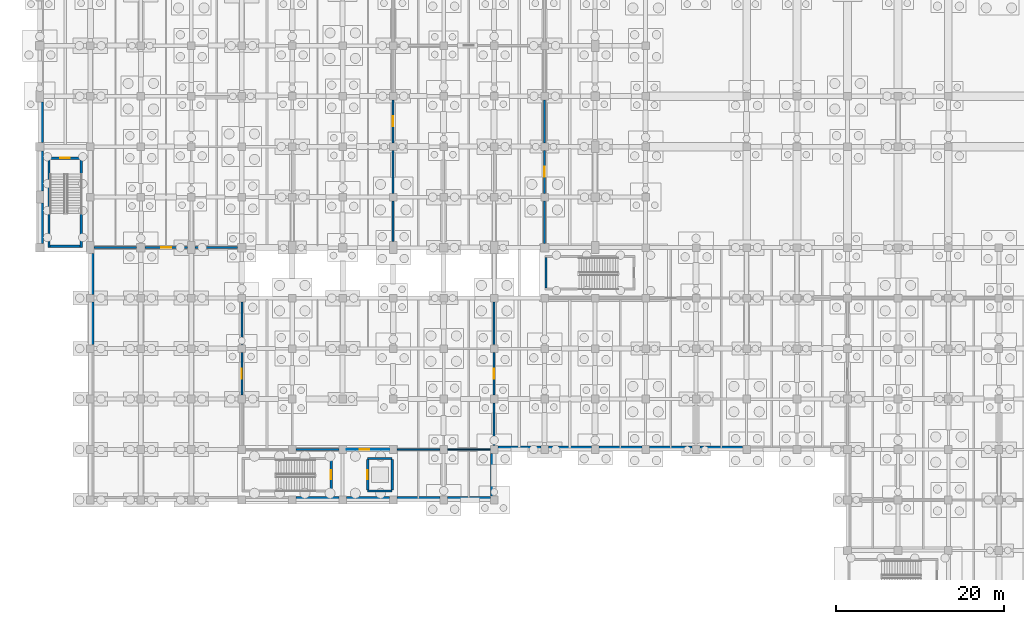
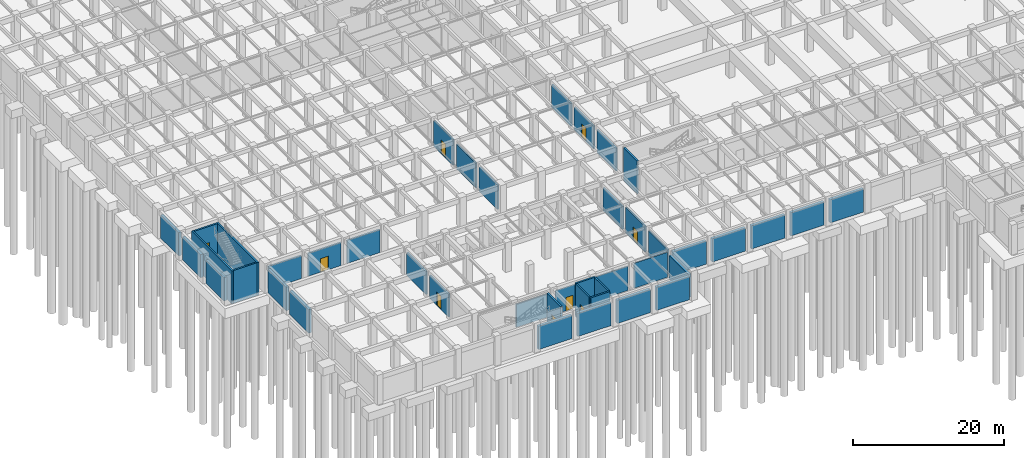
# One storey, part 38 of 54: 43 walls, 9 doors, 9 openings.
"""IFC4 building model written with IfcOpenShell, lengths in metres."""

from ifc_helpers import new_model, si_unit, direction, frame, frame_2d, origin, place, context, subcontext, project, spatial, rectangle, extrude, material, layer, layer_set, type_object, element, fill, save


model = new_model("IFC4")

# Units and contexts
model_context = context("Model", 3, precision=1e-05, world=origin(), true_north=direction((0.0, 1.0)))
body_context = subcontext(model_context, "Body", "Model", "MODEL_VIEW")
ifc_project = project(units=[si_unit("LENGTHUNIT", "METRE"), si_unit("AREAUNIT", "SQUARE_METRE"), si_unit("VOLUMEUNIT", "CUBIC_METRE"), si_unit("PLANEANGLEUNIT", "RADIAN"), si_unit("MASSUNIT", "GRAM", prefix="KILO"), si_unit("THERMODYNAMICTEMPERATUREUNIT", "KELVIN"), si_unit("POWERUNIT", "WATT")], contexts=[model_context])

# Site, building, storey
site_placement = place(None, origin())
site = spatial("IfcSite", under=ifc_project, at=site_placement, CompositionType="ELEMENT")
building_placement = place(site_placement, origin())
building = spatial("IfcBuilding", under=site, at=building_placement, Name="Phaisarnlok Congress Hotel", CompositionType="ELEMENT")
storey_placement = place(building_placement, frame((0.0, 0.0, -4.800048828125)))
storey = spatial("IfcBuildingStorey", under=building, at=storey_placement, Name="B01", CompositionType="ELEMENT", Elevation=-4.800048828125)

# Walls
ifc_material_1 = material(Name="Concrete C40/50", Category="concrete")
ifc_layer_1 = layer(ifc_material_1, 0.419921875, Name="Concrete C40/50")
ifc_layer_set_1 = layer_set([ifc_layer_1], Name="Concrete C40/50")
wall_type_1 = type_object("IfcWallType", Name="WL-EXT-420", PredefinedType="SOLIDWALL", material=ifc_layer_set_1)
for number, where, z_axis, x_axis, name in (
    (1, (30.455078125, 12.2099609375, 0.0), (0.0, 0.0, 1.0), (1.0, 0.0, 0.0), "Exterior wall EW-08 (B01)"),
    (2, (36.455078125, 12.2099609375, 0.0), (0.0, 0.0, 1.0), (1.0, 0.0, 0.0), "Exterior wall EW-08 (B01)"),
    (3, (42.455078125, 12.2099609375, 0.0), (0.0, 0.0, 1.0), (1.0, 0.0, 0.0), "Exterior wall EW-08 (B01)"),
    (4, (48.455078125, 12.2099609375, 0.0), (0.0, 0.0, 1.0), (1.0, 0.0, 0.0), "Exterior wall EW-08 (B01)"),
    (5, (53.7900390625, 12.455078125, 0.0), (0.0, 0.0, 1.0), (0.0, 1.0, 0.0), "Exterior wall EW-08 (B01)"),
    (6, (54.455078125, 18.2099609375, 0.0), (0.0, 0.0, 1.0), (1.0, 0.0, 0.0), "Exterior wall EW-08 (B01)"),
    (7, (60.455078125, 18.2099609375, 0.0), (0.0, 0.0, 1.0), (1.0, 0.0, 0.0), "Exterior wall EW-08 (B01)"),
    (8, (66.455078125, 18.2099609375, 0.0), (0.0, 0.0, 1.0), (1.0, 0.0, 0.0), "Exterior wall EW-08 (B01)"),
    (9, (72.455078125, 18.2099609375, 0.0), (0.0, 0.0, 1.0), (1.0, 0.0, 0.0), "Exterior wall EW-08 (B01)"),
    (10, (78.455078125, 18.2099609375, 0.0), (0.0, 0.0, 1.0), (1.0, 0.0, 0.0), "Exterior wall EW-08 (B01)"),
):
    element("IfcWall", number, at=place(storey_placement, frame(where, z_axis=z_axis, x_axis=x_axis)), inside=storey, type_object=wall_type_1, Name=name, PredefinedType="SOLIDWALL", context=body_context, shape_type="SweptSolid", body=[
        extrude(rectangle(XDim=5.08984375, YDim=0.419921875, at=frame_2d((2.544921875, 0.0))), origin(), (0.0, 0.0, 1.0), 3.75),
    ])
for number, where, z_axis, x_axis, name in (
    (11, (0.2099609375, 59.294921875, 0.0), (0.0, 0.0, 1.0), (0.0, -1.0, 0.0), "Exterior wall EW-08 (B01)"),
    (12, (0.2099609375, 53.4951171875, 0.0), (0.0, 0.0, 1.0), (0.0, -1.0, 0.0), "Exterior wall EW-08 (B01)"),
    (13, (0.2099609375, 47.294921875, 0.0), (0.0, 0.0, 1.0), (0.0, -1.0, 0.0), "Exterior wall EW-08 (B01)"),
):
    element("IfcWall", number, at=place(storey_placement, frame(where, z_axis=z_axis, x_axis=x_axis)), inside=storey, type_object=wall_type_1, Name=name, PredefinedType="SOLIDWALL", context=body_context, shape_type="SweptSolid", body=[
        extrude(rectangle(XDim=4.7900390625, YDim=0.419921875, at=frame_2d((2.39501953125, 0.0))), origin(), (0.0, 0.0, 1.0), 3.75),
    ])
wall_1_placement = place(storey_placement, frame((6.2099609375, 41.294921875, 0.0), z_axis=(0.0, 0.0, 1.0), x_axis=(0.0, -1.0, 0.0)))
element("IfcWall", 14, at=wall_1_placement, inside=storey, type_object=wall_type_1, Name="Exterior wall EW-08 (B01)", PredefinedType="SOLIDWALL", context=body_context, shape_type="SweptSolid", body=[
    extrude(rectangle(XDim=4.83984375, YDim=0.419921875, at=frame_2d((2.419921875, 0.0))), origin(), (0.0, 0.0, 1.0), 3.800048828125),
])
wall_2_placement = place(storey_placement, frame((6.2099609375, 35.544921875, 0.0), z_axis=(0.0, 0.0, 1.0), x_axis=(0.0, -1.0, 0.0)))
element("IfcWall", 15, at=wall_2_placement, inside=storey, type_object=wall_type_1, Name="Exterior wall EW-08 (B01)", PredefinedType="SOLIDWALL", context=body_context, shape_type="SweptSolid", body=[
    extrude(rectangle(XDim=5.08984375, YDim=0.419921875, at=frame_2d((2.544921875, 0.0))), origin(), (0.0, 0.0, 1.0), 3.800048828125),
])

# Wall, opening, door
ifc_material_2 = material(Name="Service Riser Shaftwall Partition", Category="gypsum")
ifc_layer_2 = layer(ifc_material_2, 0.10498046875, Name="Service Riser Shaftwall Partition")
ifc_layer_set_2 = layer_set([ifc_layer_2], Name="Service Riser Shaftwall Partition")
wall_type_2 = type_object("IfcWallType", Name="WL-INT-105", PredefinedType="PARTITIONING", material=ifc_layer_set_2)
wall_3_placement = place(storey_placement, frame((36.455078125, 18.0, 0.0), z_axis=(0.0, 0.0, 1.0), x_axis=(1.0, 0.0, 0.0)))
wall_3 = element("IfcWall", 16, at=wall_3_placement, inside=storey, type_object=wall_type_2, Name="Interior partition wall IW-08 (B01)", PredefinedType="PARTITIONING", context=body_context, shape_type="SweptSolid", body=[
    extrude(rectangle(XDim=5.08984375, YDim=0.10498046875, at=frame_2d((2.544921875, 0.0))), origin(), (0.0, 0.0, 1.0), 3.800048828125),
])
opening_1_placement = place(wall_3_placement, frame((1.594970703125, 0.0, 0.0)))
opening_1 = element("IfcOpeningElement", 17, at=opening_1_placement, cuts=wall_3, Name="Opening D-0001", PredefinedType="OPENING", context=body_context, shape_type="SweptSolid", body=[
    extrude(rectangle(XDim=1.10009765625, YDim=2.14990234375, at=frame_2d((0.550048828125, 1.074951171875))), frame((0.0, 0.0625, 0.0), z_axis=(0.0, -1.0, 0.0), x_axis=(1.0, 0.0, 0.0)), (0.0, 0.0, 1.0), 0.125),
])
ifc_material_3 = material(Name="Fire-Rated Steel Frame & Timber Leaf", Category="steel")
door_type_1 = type_object("IfcDoorType", Name="DR-FD60-1100", OperationType="NOTDEFINED", PredefinedType="DOOR", material=ifc_material_3)
door_1_placement = place(opening_1_placement, origin())
door_1 = element("IfcDoor", 18, at=door_1_placement, inside=storey, type_object=door_type_1, Name="Interior door D-0001 (B01)", OperationType="SINGLE_SWING_RIGHT", OverallHeight=2.14990234375, OverallWidth=1.10009765625, PredefinedType="DOOR", context=body_context, shape_type="SweptSolid", body=[
    extrude(rectangle(XDim=1.10009765625, YDim=2.14990234375, at=frame_2d((0.550048828125, 1.074951171875))), frame((0.0, 0.02490234375, 0.0), z_axis=(0.0, -1.0, 0.0), x_axis=(1.0, 0.0, 0.0)), (0.0, 0.0, 1.0), 0.050048828125),
])
fill(opening_1, door_1)

# Walls
ifc_material_4 = material(Name="Double-Stud Acoustic Gypsum Partition", Category="gypsum")
ifc_layer_3 = layer(ifc_material_4, 0.159912109375, Name="Double-Stud Acoustic Gypsum Partition")
ifc_layer_set_3 = layer_set([ifc_layer_3], Name="Double-Stud Acoustic Gypsum Partition")
wall_type_3 = type_object("IfcWallType", Name="WL-INT-160", PredefinedType="PARTITIONING", material=ifc_layer_set_3)
wall_4_placement = place(storey_placement, frame((48.455078125, 18.0, 0.0), z_axis=(0.0, 0.0, 1.0), x_axis=(1.0, 0.0, 0.0)))
element("IfcWall", 19, at=wall_4_placement, inside=storey, type_object=wall_type_3, Name="Interior partition wall IW-04 (B01)", PredefinedType="PARTITIONING", context=body_context, shape_type="SweptSolid", body=[
    extrude(rectangle(XDim=5.08984375, YDim=0.159912109375, at=frame_2d((2.544921875, 0.0))), origin(), (0.0, 0.0, 1.0), 4.050048828125),
])
ifc_material_5 = material(Name="Autoclaved Aerated Concrete Block", Category="concrete")
ifc_layer_4 = layer(ifc_material_5, 0.179931640625, Name="Autoclaved Aerated Concrete Block")
ifc_layer_set_4 = layer_set([ifc_layer_4], Name="Autoclaved Aerated Concrete Block")
wall_type_4 = type_object("IfcWallType", Name="WL-INT-180", PredefinedType="PARTITIONING", material=ifc_layer_set_4)
wall_5_placement = place(storey_placement, frame((42.455078125, 18.0, 0.0), z_axis=(0.0, 0.0, 1.0), x_axis=(1.0, 0.0, 0.0)))
element("IfcWall", 20, at=wall_5_placement, inside=storey, type_object=wall_type_4, Name="Interior partition wall IW-03 (B01)", PredefinedType="PARTITIONING", context=body_context, shape_type="SweptSolid", body=[
    extrude(rectangle(XDim=5.08984375, YDim=0.179931640625, at=frame_2d((2.544921875, 0.0))), origin(), (0.0, 0.0, 1.0), 3.900146484375),
])
ifc_layer_5 = layer(ifc_material_5, 0.199951171875, Name="Autoclaved Aerated Concrete Block")
ifc_layer_set_5 = layer_set([ifc_layer_5], Name="Autoclaved Aerated Concrete Block")
wall_type_5 = type_object("IfcWallType", Name="WL-INT-200", PredefinedType="PARTITIONING", material=ifc_layer_set_5)
wall_6_placement = place(storey_placement, frame((30.455078125, 18.0, 0.0), z_axis=(0.0, 0.0, 1.0), x_axis=(1.0, 0.0, 0.0)))
element("IfcWall", 21, at=wall_6_placement, inside=storey, type_object=wall_type_5, Name="Interior partition wall IW-02 (B01)", PredefinedType="PARTITIONING", context=body_context, shape_type="SweptSolid", body=[
    extrude(rectangle(XDim=5.08984375, YDim=0.199951171875, at=frame_2d((2.544921875, 0.0))), origin(), (0.0, 0.0, 1.0), 3.699951171875),
])

# Wall, opening, door
ifc_layer_6 = layer(ifc_material_1, 0.239990234375, Name="Concrete C40/50")
ifc_layer_set_6 = layer_set([ifc_layer_6], Name="Concrete C40/50")
wall_type_6 = type_object("IfcWallType", Name="WL-INT-240", PredefinedType="PARTITIONING", material=ifc_layer_set_6)
wall_7_placement = place(storey_placement, frame((24.0, 24.455078125, 0.0), z_axis=(0.0, 0.0, 1.0), x_axis=(0.0, 1.0, 0.0)))
wall_7 = element("IfcWall", 22, at=wall_7_placement, inside=storey, type_object=wall_type_6, Name="Interior partition wall IW-01 (B01)", PredefinedType="PARTITIONING", context=body_context, shape_type="SweptSolid", body=[
    extrude(rectangle(XDim=5.08984375, YDim=0.239990234375, at=frame_2d((2.544921875, 0.0))), origin(), (0.0, 0.0, 1.0), 3.699951171875),
])
opening_2_placement = place(wall_7_placement, frame((1.945068359375, 0.0, 0.0)))
opening_2 = element("IfcOpeningElement", 23, at=opening_2_placement, cuts=wall_7, Name="Opening D-0003", PredefinedType="OPENING", context=body_context, shape_type="SweptSolid", body=[
    extrude(rectangle(XDim=1.199951171875, YDim=2.199951171875, at=frame_2d((0.60009765625, 1.10009765625))), frame((0.0, 0.1298828125, 0.0), z_axis=(0.0, -1.0, 0.0), x_axis=(1.0, 0.0, 0.0)), (0.0, 0.0, 1.0), 0.260009765625),
])
door_type_2 = type_object("IfcDoorType", Name="DR-FD60-1200", OperationType="NOTDEFINED", PredefinedType="DOOR", material=ifc_material_3)
door_2_placement = place(opening_2_placement, origin())
door_2 = element("IfcDoor", 24, at=door_2_placement, inside=storey, type_object=door_type_2, Name="Interior door D-0003 (B01)", OperationType="SINGLE_SWING_RIGHT", OverallHeight=2.199951171875, OverallWidth=1.199951171875, PredefinedType="DOOR", context=body_context, shape_type="SweptSolid", body=[
    extrude(rectangle(XDim=1.199951171875, YDim=2.199951171875, at=frame_2d((0.60009765625, 1.10009765625))), frame((0.0, 0.02490234375, 0.0), z_axis=(0.0, -1.0, 0.0), x_axis=(1.0, 0.0, 0.0)), (0.0, 0.0, 1.0), 0.050048828125),
])
fill(opening_2, door_2)

# Walls
wall_8_placement = place(storey_placement, frame((24.0, 30.455078125, 0.0), z_axis=(0.0, 0.0, 1.0), x_axis=(0.0, 1.0, 0.0)))
element("IfcWall", 25, at=wall_8_placement, inside=storey, type_object=wall_type_6, Name="Interior partition wall IW-01 (B01)", PredefinedType="PARTITIONING", context=body_context, shape_type="SweptSolid", body=[
    extrude(rectangle(XDim=5.08984375, YDim=0.239990234375, at=frame_2d((2.544921875, 0.0))), origin(), (0.0, 0.0, 1.0), 3.699951171875),
])
wall_9_placement = place(storey_placement, frame((42.0, 42.705078125, 0.0), z_axis=(0.0, 0.0, 1.0), x_axis=(0.0, 1.0, 0.0)))
element("IfcWall", 26, at=wall_9_placement, inside=storey, type_object=wall_type_6, Name="Interior partition wall IW-01 (B01)", PredefinedType="PARTITIONING", context=body_context, shape_type="SweptSolid", body=[
    extrude(rectangle(XDim=4.83984375, YDim=0.239990234375, at=frame_2d((2.419921875, 0.0))), origin(), (0.0, 0.0, 1.0), 3.949951171875),
])
wall_10_placement = place(storey_placement, frame((42.0, 48.455078125, 0.0), z_axis=(0.0, 0.0, 1.0), x_axis=(0.0, 1.0, 0.0)))
element("IfcWall", 27, at=wall_10_placement, inside=storey, type_object=wall_type_6, Name="Interior partition wall IW-01 (B01)", PredefinedType="PARTITIONING", context=body_context, shape_type="SweptSolid", body=[
    extrude(rectangle(XDim=5.08984375, YDim=0.239990234375, at=frame_2d((2.544921875, 0.0))), origin(), (0.0, 0.0, 1.0), 4.0),
])

# Wall, opening, door
wall_11_placement = place(storey_placement, frame((42.0, 54.455078125, 0.0), z_axis=(0.0, 0.0, 1.0), x_axis=(0.0, 1.0, 0.0)))
wall_11 = element("IfcWall", 28, at=wall_11_placement, inside=storey, type_object=wall_type_6, Name="Interior partition wall IW-01 (B01)", PredefinedType="PARTITIONING", context=body_context, shape_type="SweptSolid", body=[
    extrude(rectangle(XDim=5.08984375, YDim=0.239990234375, at=frame_2d((2.544921875, 0.0))), origin(), (0.0, 0.0, 1.0), 4.16015625),
])
opening_3_placement = place(wall_11_placement, frame((1.945068359375, 0.0, 0.0)))
opening_3 = element("IfcOpeningElement", 29, at=opening_3_placement, cuts=wall_11, Name="Opening D-0005", PredefinedType="OPENING", context=body_context, shape_type="SweptSolid", body=[
    extrude(rectangle(XDim=1.199951171875, YDim=2.199951171875, at=frame_2d((0.60009765625, 1.10009765625))), frame((0.0, 0.1298828125, 0.0), z_axis=(0.0, -1.0, 0.0), x_axis=(1.0, 0.0, 0.0)), (0.0, 0.0, 1.0), 0.260009765625),
])
door_3_placement = place(opening_3_placement, origin())
door_3 = element("IfcDoor", 30, at=door_3_placement, inside=storey, type_object=door_type_2, Name="Interior door D-0005 (B01)", OperationType="SINGLE_SWING_RIGHT", OverallHeight=2.199951171875, OverallWidth=1.199951171875, PredefinedType="DOOR", context=body_context, shape_type="SweptSolid", body=[
    extrude(rectangle(XDim=1.199951171875, YDim=2.199951171875, at=frame_2d((0.60009765625, 1.10009765625))), frame((0.0, 0.02490234375, 0.0), z_axis=(0.0, -1.0, 0.0), x_axis=(1.0, 0.0, 0.0)), (0.0, 0.0, 1.0), 0.050048828125),
])
fill(opening_3, door_3)

# Wall
wall_12_placement = place(storey_placement, frame((54.0, 18.455078125, 0.0), z_axis=(0.0, 0.0, 1.0), x_axis=(0.0, 1.0, 0.0)))
element("IfcWall", 31, at=wall_12_placement, inside=storey, type_object=wall_type_6, Name="Interior partition wall IW-01 (B01)", PredefinedType="PARTITIONING", context=body_context, shape_type="SweptSolid", body=[
    extrude(rectangle(XDim=5.08984375, YDim=0.239990234375, at=frame_2d((2.544921875, 0.0))), origin(), (0.0, 0.0, 1.0), 4.0),
])

# Wall, opening, door
wall_13_placement = place(storey_placement, frame((54.0, 24.455078125, 0.0), z_axis=(0.0, 0.0, 1.0), x_axis=(0.0, 1.0, 0.0)))
wall_13 = element("IfcWall", 32, at=wall_13_placement, inside=storey, type_object=wall_type_6, Name="Interior partition wall IW-01 (B01)", PredefinedType="PARTITIONING", context=body_context, shape_type="SweptSolid", body=[
    extrude(rectangle(XDim=5.08984375, YDim=0.239990234375, at=frame_2d((2.544921875, 0.0))), origin(), (0.0, 0.0, 1.0), 4.16015625),
])
opening_4_placement = place(wall_13_placement, frame((1.945068359375, 0.0, 0.0)))
opening_4 = element("IfcOpeningElement", 33, at=opening_4_placement, cuts=wall_13, Name="Opening D-0002", PredefinedType="OPENING", context=body_context, shape_type="SweptSolid", body=[
    extrude(rectangle(XDim=1.199951171875, YDim=2.199951171875, at=frame_2d((0.60009765625, 1.10009765625))), frame((0.0, 0.1298828125, 0.0), z_axis=(0.0, -1.0, 0.0), x_axis=(1.0, 0.0, 0.0)), (0.0, 0.0, 1.0), 0.260009765625),
])
door_4_placement = place(opening_4_placement, origin())
door_4 = element("IfcDoor", 34, at=door_4_placement, inside=storey, type_object=door_type_2, Name="Interior door D-0002 (B01)", OperationType="SINGLE_SWING_LEFT", OverallHeight=2.199951171875, OverallWidth=1.199951171875, PredefinedType="DOOR", context=body_context, shape_type="SweptSolid", body=[
    extrude(rectangle(XDim=1.199951171875, YDim=2.199951171875, at=frame_2d((0.60009765625, 1.10009765625))), frame((0.0, 0.02490234375, 0.0), z_axis=(0.0, -1.0, 0.0), x_axis=(1.0, 0.0, 0.0)), (0.0, 0.0, 1.0), 0.050048828125),
])
fill(opening_4, door_4)

# Walls
wall_14_placement = place(storey_placement, frame((54.0, 30.455078125, 0.0), z_axis=(0.0, 0.0, 1.0), x_axis=(0.0, 1.0, 0.0)))
element("IfcWall", 35, at=wall_14_placement, inside=storey, type_object=wall_type_6, Name="Interior partition wall IW-01 (B01)", PredefinedType="PARTITIONING", context=body_context, shape_type="SweptSolid", body=[
    extrude(rectangle(XDim=5.08984375, YDim=0.239990234375, at=frame_2d((2.544921875, 0.0))), origin(), (0.0, 0.0, 1.0), 3.699951171875),
])
wall_15_placement = place(storey_placement, frame((60.0, 42.5048828125, 0.0), z_axis=(0.0, 0.0, 1.0), x_axis=(0.0, 1.0, 0.0)))
element("IfcWall", 36, at=wall_15_placement, inside=storey, type_object=wall_type_6, Name="Interior partition wall IW-01 (B01)", PredefinedType="PARTITIONING", context=body_context, shape_type="SweptSolid", body=[
    extrude(rectangle(XDim=5.0400390625, YDim=0.239990234375, at=frame_2d((2.52001953125, 0.0))), origin(), (0.0, 0.0, 1.0), 3.699951171875),
])

# Wall, opening, door
wall_16_placement = place(storey_placement, frame((60.0, 48.455078125, 0.0), z_axis=(0.0, 0.0, 1.0), x_axis=(0.0, 1.0, 0.0)))
wall_16 = element("IfcWall", 37, at=wall_16_placement, inside=storey, type_object=wall_type_6, Name="Interior partition wall IW-01 (B01)", PredefinedType="PARTITIONING", context=body_context, shape_type="SweptSolid", body=[
    extrude(rectangle(XDim=5.08984375, YDim=0.239990234375, at=frame_2d((2.544921875, 0.0))), origin(), (0.0, 0.0, 1.0), 3.699951171875),
])
opening_5_placement = place(wall_16_placement, frame((1.945068359375, 0.0, 0.0)))
opening_5 = element("IfcOpeningElement", 38, at=opening_5_placement, cuts=wall_16, Name="Opening D-0006", PredefinedType="OPENING", context=body_context, shape_type="SweptSolid", body=[
    extrude(rectangle(XDim=1.199951171875, YDim=2.199951171875, at=frame_2d((0.60009765625, 1.10009765625))), frame((0.0, 0.1298828125, 0.0), z_axis=(0.0, -1.0, 0.0), x_axis=(1.0, 0.0, 0.0)), (0.0, 0.0, 1.0), 0.260009765625),
])
door_5_placement = place(opening_5_placement, origin())
door_5 = element("IfcDoor", 39, at=door_5_placement, inside=storey, type_object=door_type_2, Name="Interior door D-0006 (B01)", OperationType="SINGLE_SWING_LEFT", OverallHeight=2.199951171875, OverallWidth=1.199951171875, PredefinedType="DOOR", context=body_context, shape_type="SweptSolid", body=[
    extrude(rectangle(XDim=1.199951171875, YDim=2.199951171875, at=frame_2d((0.60009765625, 1.10009765625))), frame((0.0, 0.02490234375, 0.0), z_axis=(0.0, -1.0, 0.0), x_axis=(1.0, 0.0, 0.0)), (0.0, 0.0, 1.0), 0.050048828125),
])
fill(opening_5, door_5)

# Walls
wall_17_placement = place(storey_placement, frame((60.0, 54.455078125, 0.0), z_axis=(0.0, 0.0, 1.0), x_axis=(0.0, 1.0, 0.0)))
element("IfcWall", 40, at=wall_17_placement, inside=storey, type_object=wall_type_6, Name="Interior partition wall IW-01 (B01)", PredefinedType="PARTITIONING", context=body_context, shape_type="SweptSolid", body=[
    extrude(rectangle(XDim=5.08984375, YDim=0.239990234375, at=frame_2d((2.544921875, 0.0))), origin(), (0.0, 0.0, 1.0), 3.699951171875),
])
wall_18_placement = place(storey_placement, frame((6.455078125, 42.0, 0.0), z_axis=(0.0, 0.0, 1.0), x_axis=(1.0, 0.0, 0.0)))
element("IfcWall", 41, at=wall_18_placement, inside=storey, type_object=wall_type_6, Name="Interior partition wall IW-01 (B01)", PredefinedType="PARTITIONING", context=body_context, shape_type="SweptSolid", body=[
    extrude(rectangle(XDim=5.0400390625, YDim=0.239990234375, at=frame_2d((2.52001953125, 0.0))), origin(), (0.0, 0.0, 1.0), 3.699951171875),
])

# Wall, opening, door
wall_19_placement = place(storey_placement, frame((12.5048828125, 42.0, 0.0), z_axis=(0.0, 0.0, 1.0), x_axis=(1.0, 0.0, 0.0)))
wall_19 = element("IfcWall", 42, at=wall_19_placement, inside=storey, type_object=wall_type_6, Name="Interior partition wall IW-01 (B01)", PredefinedType="PARTITIONING", context=body_context, shape_type="SweptSolid", body=[
    extrude(rectangle(XDim=5.0400390625, YDim=0.239990234375, at=frame_2d((2.52001953125, 0.0))), origin(), (0.0, 0.0, 1.0), 3.699951171875),
])
opening_6_placement = place(wall_19_placement, frame((1.89501953125, 0.0, 0.0)))
opening_6 = element("IfcOpeningElement", 43, at=opening_6_placement, cuts=wall_19, Name="Opening D-0004", PredefinedType="OPENING", context=body_context, shape_type="SweptSolid", body=[
    extrude(rectangle(XDim=1.199951171875, YDim=2.199951171875, at=frame_2d((0.60009765625, 1.10009765625))), frame((0.0, 0.1298828125, 0.0), z_axis=(0.0, -1.0, 0.0), x_axis=(1.0, 0.0, 0.0)), (0.0, 0.0, 1.0), 0.260009765625),
])
door_6_placement = place(opening_6_placement, origin())
door_6 = element("IfcDoor", 44, at=door_6_placement, inside=storey, type_object=door_type_2, Name="Interior door D-0004 (B01)", OperationType="SINGLE_SWING_LEFT", OverallHeight=2.199951171875, OverallWidth=1.199951171875, PredefinedType="DOOR", context=body_context, shape_type="SweptSolid", body=[
    extrude(rectangle(XDim=1.199951171875, YDim=2.199951171875, at=frame_2d((0.60009765625, 1.10009765625))), frame((0.0, 0.02490234375, 0.0), z_axis=(0.0, -1.0, 0.0), x_axis=(1.0, 0.0, 0.0)), (0.0, 0.0, 1.0), 0.050048828125),
])
fill(opening_6, door_6)

# Walls
wall_20_placement = place(storey_placement, frame((18.455078125, 42.0, 0.0), z_axis=(0.0, 0.0, 1.0), x_axis=(1.0, 0.0, 0.0)))
element("IfcWall", 45, at=wall_20_placement, inside=storey, type_object=wall_type_6, Name="Interior partition wall IW-01 (B01)", PredefinedType="PARTITIONING", context=body_context, shape_type="SweptSolid", body=[
    extrude(rectangle(XDim=5.0400390625, YDim=0.239990234375, at=frame_2d((2.52001953125, 0.0))), origin(), (0.0, 0.0, 1.0), 3.699951171875),
])
ifc_material_6 = material(Name="Concrete C50/60", Category="concrete")
ifc_layer_7 = layer(ifc_material_6, 0.260009765625, Name="Concrete C50/60")
ifc_layer_set_7 = layer_set([ifc_layer_7], Name="Concrete C50/60")
wall_type_7 = type_object("IfcWallType", Name="WL-SHR-260", PredefinedType="SHEAR", material=ifc_layer_set_7)
wall_21_placement = place(storey_placement, frame((60.169921875, 37.199951171875, -0.5), z_axis=(0.0, 0.0, 1.0), x_axis=(0.0, 1.0, 0.0)))
element("IfcWall", 46, at=wall_21_placement, inside=storey, type_object=wall_type_7, Name="Stair shaft shear wall SW-04 (STAIR-POD-S B01)", PredefinedType="SHEAR", context=body_context, shape_type="SweptSolid", body=[
    extrude(rectangle(XDim=3.60009765625, YDim=0.260009765625, at=frame_2d((1.800048828125, 0.0))), origin(), (0.0, 0.0, 1.0), 5.300048828125),
])
for number, where, z_axis, x_axis, name in (
    (47, (1.070068359375, 42.0400390625, -0.5), (0.0, 0.0, 1.0), (0.0, 1.0, 0.0), "Stair shaft shear wall SW-04 (STAIR-W B01)"),
    (48, (4.929931640625, 42.0400390625, -0.5), (0.0, 0.0, 1.0), (0.0, 1.0, 0.0), "Stair shaft shear wall SW-04 (STAIR-W B01)"),
):
    element("IfcWall", number, at=place(storey_placement, frame(where, z_axis=z_axis, x_axis=x_axis)), inside=storey, type_object=wall_type_7, Name=name, PredefinedType="SHEAR", context=body_context, shape_type="SweptSolid", body=[
        extrude(rectangle(XDim=10.719970703125, YDim=0.260009765625, at=frame_2d((5.35986328125, 0.0))), origin(), (0.0, 0.0, 1.0), 5.300048828125),
    ])

# Wall, opening, door
wall_22_placement = place(storey_placement, frame((1.199951171875, 52.6298828125, -0.5), z_axis=(0.0, 0.0, 1.0), x_axis=(1.0, 0.0, 0.0)))
wall_22 = element("IfcWall", 49, at=wall_22_placement, inside=storey, type_object=wall_type_7, Name="Stair shaft shear wall SW-04 (STAIR-W B01)", PredefinedType="SHEAR", context=body_context, shape_type="SweptSolid", body=[
    extrude(rectangle(XDim=3.60009765625, YDim=0.260009765625, at=frame_2d((1.800048828125, 0.0))), origin(), (0.0, 0.0, 1.0), 5.300048828125),
])
opening_7_placement = place(wall_22_placement, frame((1.25, 0.0, 0.5)))
opening_7 = element("IfcOpeningElement", 50, at=opening_7_placement, cuts=wall_22, Name="Opening FD-164", PredefinedType="OPENING", context=body_context, shape_type="SweptSolid", body=[
    extrude(rectangle(XDim=1.10009765625, YDim=2.14990234375, at=frame_2d((0.550048828125, 1.074951171875))), frame((0.0, 0.14013671875, 0.0), z_axis=(0.0, -1.0, 0.0), x_axis=(1.0, 0.0, 0.0)), (0.0, 0.0, 1.0), 0.280029296875),
])
door_7_placement = place(opening_7_placement, origin())
door_7 = element("IfcDoor", 51, at=door_7_placement, inside=storey, type_object=door_type_1, Name="Stair enclosure fire door FD-164 (B01)", OperationType="SINGLE_SWING_LEFT", OverallHeight=2.14990234375, OverallWidth=1.10009765625, PredefinedType="DOOR", context=body_context, shape_type="SweptSolid", body=[
    extrude(rectangle(XDim=1.10009765625, YDim=2.14990234375, at=frame_2d((0.550048828125, 1.074951171875))), frame((0.0, 0.02490234375, 0.0), z_axis=(0.0, -1.0, 0.0), x_axis=(1.0, 0.0, 0.0)), (0.0, 0.0, 1.0), 0.050048828125),
])
fill(opening_7, door_7)

wall_23_placement = place(storey_placement, frame((34.6298828125, 13.199951171875, -0.5), z_axis=(0.0, 0.0, 1.0), x_axis=(0.0, 1.0, 0.0)))
wall_23 = element("IfcWall", 52, at=wall_23_placement, inside=storey, type_object=wall_type_7, Name="Stair shaft shear wall SW-04 (STAIR-MRT B01)", PredefinedType="SHEAR", context=body_context, shape_type="SweptSolid", body=[
    extrude(rectangle(XDim=3.60009765625, YDim=0.260009765625, at=frame_2d((1.800048828125, 0.0))), origin(), (0.0, 0.0, 1.0), 5.300048828125),
])
opening_8_placement = place(wall_23_placement, frame((1.25, 0.0, 0.5)))
opening_8 = element("IfcOpeningElement", 53, at=opening_8_placement, cuts=wall_23, Name="Opening FD-175", PredefinedType="OPENING", context=body_context, shape_type="SweptSolid", body=[
    extrude(rectangle(XDim=1.10009765625, YDim=2.14990234375, at=frame_2d((0.550048828125, 1.074951171875))), frame((0.0, 0.14013671875, 0.0), z_axis=(0.0, -1.0, 0.0), x_axis=(1.0, 0.0, 0.0)), (0.0, 0.0, 1.0), 0.280029296875),
])
door_8_placement = place(opening_8_placement, origin())
door_8 = element("IfcDoor", 54, at=door_8_placement, inside=storey, type_object=door_type_1, Name="Stair enclosure fire door FD-175 (B01)", OperationType="SINGLE_SWING_RIGHT", OverallHeight=2.14990234375, OverallWidth=1.10009765625, PredefinedType="DOOR", context=body_context, shape_type="SweptSolid", body=[
    extrude(rectangle(XDim=1.10009765625, YDim=2.14990234375, at=frame_2d((0.550048828125, 1.074951171875))), frame((0.0, 0.02490234375, 0.0), z_axis=(0.0, -1.0, 0.0), x_axis=(1.0, 0.0, 0.0)), (0.0, 0.0, 1.0), 0.050048828125),
])
fill(opening_8, door_8)

# Walls
for number, where, z_axis, x_axis, name in (
    (55, (38.969970703125, 13.070068359375, -0.5), (0.0, 0.0, 1.0), (1.0, 0.0, 0.0), "Lift shaft shear wall SW-04 (LF-MP1 B01)"),
    (56, (38.969970703125, 16.929931640625, -0.5), (0.0, 0.0, 1.0), (1.0, 0.0, 0.0), "Lift shaft shear wall SW-04 (LF-MP1 B01)"),
):
    element("IfcWall", number, at=place(storey_placement, frame(where, z_axis=z_axis, x_axis=x_axis)), inside=storey, type_object=wall_type_7, Name=name, PredefinedType="SHEAR", context=body_context, shape_type="SweptSolid", body=[
        extrude(rectangle(XDim=2.909912109375, YDim=0.260009765625, at=frame_2d((1.455078125, 0.0))), origin(), (0.0, 0.0, 1.0), 5.300048828125),
    ])
wall_24_placement = place(storey_placement, frame((41.8798828125, 13.199951171875, -0.5), z_axis=(0.0, 0.0, 1.0), x_axis=(0.0, 1.0, 0.0)))
element("IfcWall", 57, at=wall_24_placement, inside=storey, type_object=wall_type_7, Name="Lift shaft shear wall SW-04 (LF-MP1 B01)", PredefinedType="SHEAR", context=body_context, shape_type="SweptSolid", body=[
    extrude(rectangle(XDim=3.60009765625, YDim=0.260009765625, at=frame_2d((1.800048828125, 0.0))), origin(), (0.0, 0.0, 1.0), 5.300048828125),
])

# Wall, opening, door
wall_25_placement = place(storey_placement, frame((38.969970703125, 13.199951171875, -0.5), z_axis=(0.0, 0.0, 1.0), x_axis=(0.0, 1.0, 0.0)))
wall_25 = element("IfcWall", 58, at=wall_25_placement, inside=storey, type_object=wall_type_7, Name="Lift shaft front wall SW-04 (LF-MP1 B01)", PredefinedType="SHEAR", context=body_context, shape_type="SweptSolid", body=[
    extrude(rectangle(XDim=3.60009765625, YDim=0.260009765625, at=frame_2d((1.800048828125, 0.0))), origin(), (0.0, 0.0, 1.0), 5.300048828125),
])
opening_9_placement = place(wall_25_placement, frame((1.25, 0.0, 0.5)))
opening_9 = element("IfcOpeningElement", 59, at=opening_9_placement, cuts=wall_25, Name="Opening LD-130", PredefinedType="OPENING", context=body_context, shape_type="SweptSolid", body=[
    extrude(rectangle(XDim=1.10009765625, YDim=2.199951171875, at=frame_2d((0.550048828125, 1.10009765625))), frame((0.0, 0.14013671875, 0.0), z_axis=(0.0, -1.0, 0.0), x_axis=(1.0, 0.0, 0.0)), (0.0, 0.0, 1.0), 0.280029296875),
])
ifc_material_7 = material(Name="Brushed Stainless Steel Grade 304", Category="steel")
door_type_3 = type_object("IfcDoorType", Name="DR-LD-1100", OperationType="DOUBLE_DOOR_SLIDING", PredefinedType="DOOR", material=ifc_material_7)
door_9_placement = place(opening_9_placement, origin())
door_9 = element("IfcDoor", 60, at=door_9_placement, inside=storey, type_object=door_type_3, Name="Lift landing sliding door LD-130 (LF-MP1 B01)", OperationType="DOUBLE_DOOR_SLIDING", OverallHeight=2.199951171875, OverallWidth=1.10009765625, PredefinedType="DOOR", context=body_context, shape_type="SweptSolid", body=[
    extrude(rectangle(XDim=1.10009765625, YDim=2.199951171875, at=frame_2d((0.550048828125, 1.10009765625))), frame((0.0, 0.02490234375, 0.0), z_axis=(0.0, -1.0, 0.0), x_axis=(1.0, 0.0, 0.0)), (0.0, 0.0, 1.0), 0.050048828125),
])
fill(opening_9, door_9)

# Wall
ifc_layer_8 = layer(ifc_material_6, 0.260009765625, Name="Concrete C50/60")
ifc_layer_set_8 = layer_set([ifc_layer_8], Name="Concrete C50/60")
wall_type_8 = type_object("IfcWallType", Name="WL-SHR-260-EXT", PredefinedType="SHEAR", material=ifc_layer_set_8)
wall_26_placement = place(storey_placement, frame((1.199951171875, 42.169921875, -0.5), z_axis=(0.0, 0.0, 1.0), x_axis=(1.0, 0.0, 0.0)))
element("IfcWall", 61, at=wall_26_placement, inside=storey, type_object=wall_type_8, Name="Stair shaft shear wall SW-04E (STAIR-W B01)", PredefinedType="SHEAR", context=body_context, shape_type="SweptSolid", body=[
    extrude(rectangle(XDim=3.60009765625, YDim=0.260009765625, at=frame_2d((1.800048828125, 0.0))), origin(), (0.0, 0.0, 1.0), 5.300048828125),
])

save(model, "model.ifc")
